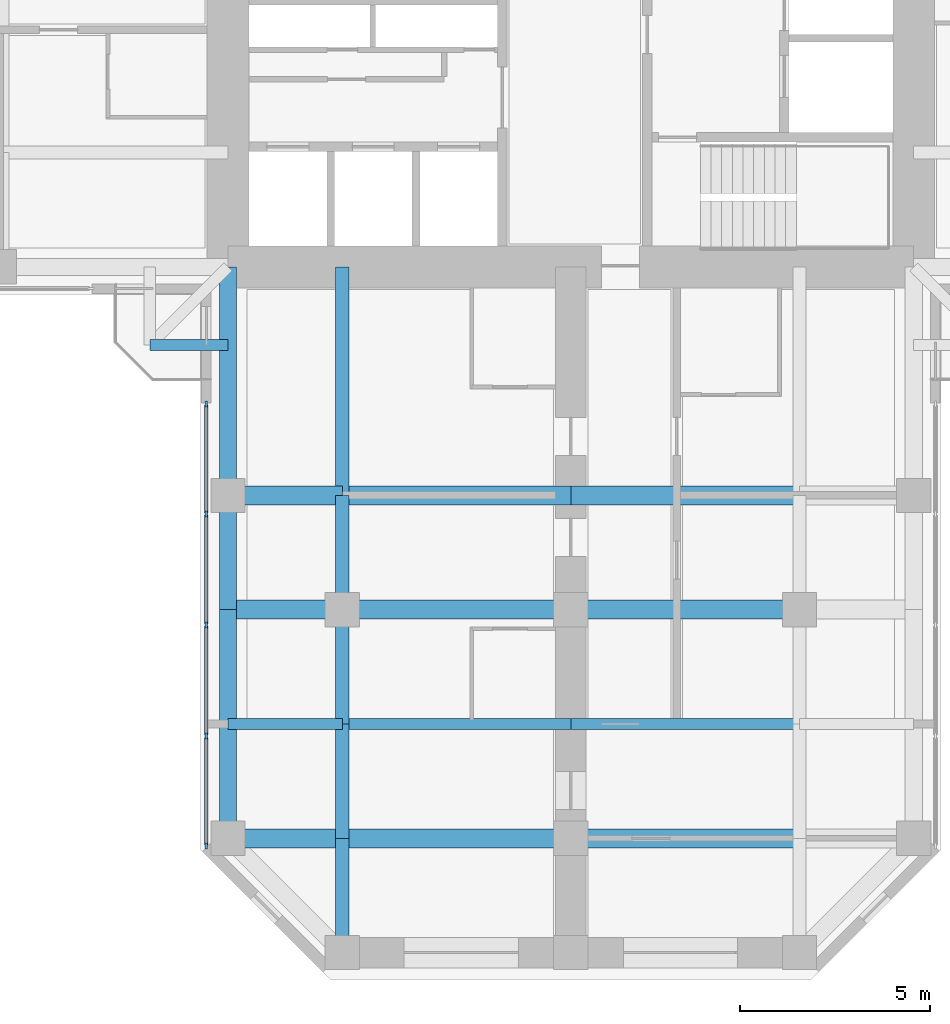
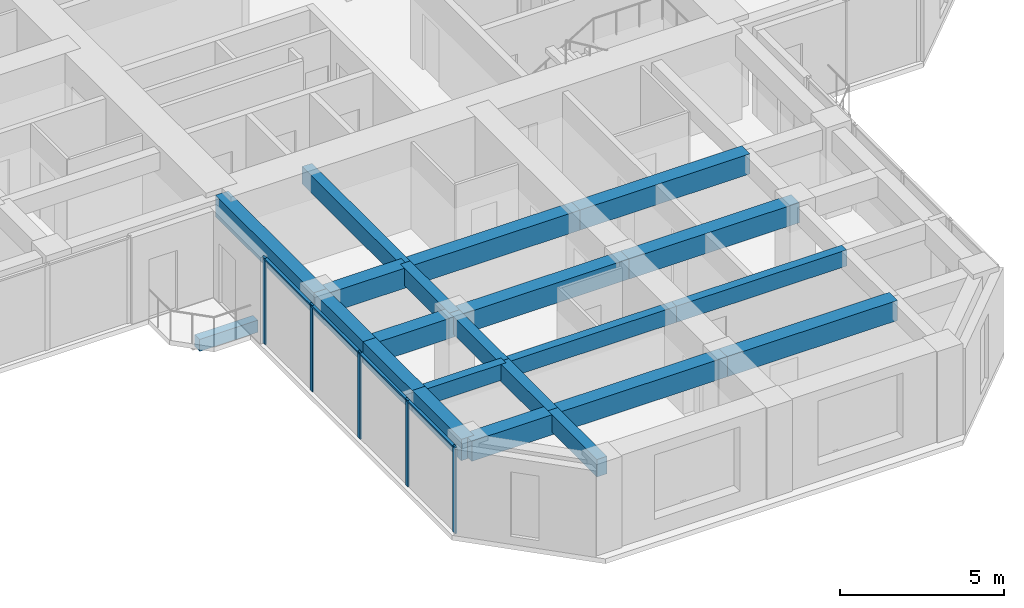
# One storey, part 2 of 13: 22 beams, 9 members, 1 element without a shape of its own.
"""IFC4 building model written with IfcOpenShell, lengths in metres."""

from ifc_helpers import new_model, si_unit, direction, frame, origin, origin_2d, place, context, subcontext, project, spatial, rectangle, extrude, material, material_profile, profile_set, type_object, element, aggregate, save


model = new_model("IFC4")

# Units and contexts
model_context = context("Model", 3, precision=1e-05, world=origin(), true_north=direction((0.0, 1.0)))
body_context = subcontext(model_context, "Body", "Model", "MODEL_VIEW")
ifc_project = project(units=[si_unit("LENGTHUNIT", "METRE"), si_unit("AREAUNIT", "SQUARE_METRE"), si_unit("VOLUMEUNIT", "CUBIC_METRE"), si_unit("PLANEANGLEUNIT", "RADIAN"), si_unit("MASSUNIT", "GRAM", prefix="KILO")], contexts=[model_context])

# Site, building, storey
site_placement = place(None, origin())
site = spatial("IfcSite", under=ifc_project, at=site_placement, CompositionType="ELEMENT")
building_placement = place(site_placement, origin())
building = spatial("IfcBuilding", under=site, at=building_placement, Name="Torre Cruceta", CompositionType="ELEMENT")
storey_placement = place(building_placement, frame((0.0, 0.0, 193.300048828125)))
storey = spatial("IfcBuildingStorey", under=building, at=storey_placement, Name="L48", CompositionType="ELEMENT", Elevation=193.300048828125)

# Beams
ifc_material_1 = material(Name="Concrete G60 (fck 60 MPa)", Category="concrete")
ifc_material_profile_1 = material_profile(ifc_material_1, rectangle(XDim=0.300048828125, YDim=0.449951171875, at=origin_2d()), Name="RC 300X450")
ifc_profile_set_1 = profile_set([ifc_material_profile_1], Name="Concrete G60 (fck 60 MPa)")
beam_type_1 = type_object("IfcBeamType", Name="BALCONY CANTILEVER BEAM RC 300X450", PredefinedType="BEAM", material=ifc_profile_set_1)
beam_1_placement = place(storey_placement, frame((-9.0, -11.050537109375, -0.405029296875), z_axis=(-1.0, 0.0, 0.0), x_axis=(0.0, -1.0, 0.0)))
element("IfcBeam", 1, at=beam_1_placement, inside=storey, type_object=beam_type_1, Name="BB1 balcony edge beam L48 W-Y", PredefinedType="BEAM", context=body_context, shape_type="SweptSolid", body=[
    extrude(rectangle(XDim=0.300048828125, YDim=0.449951171875, at=origin_2d()), origin(), (0.0, 0.0, 1.0), 2.050537109375),
])
ifc_material_2 = material(Name="Concrete G60 (fck 60 MPa)", Category="concrete")
ifc_material_profile_2 = material_profile(ifc_material_2, rectangle(XDim=0.35009765625, YDim=0.64990234375, at=origin_2d()), Name="RC 350X650")
ifc_profile_set_2 = profile_set([ifc_material_profile_2], Name="Concrete G60 (fck 60 MPa)")
beam_type_2 = type_object("IfcBeamType", Name="COLUMN LINE BEAM RC 350X650", PredefinedType="BEAM", material=ifc_profile_set_2)
beam_2_placement = place(storey_placement, frame((-6.0, -9.0, 2.89501953125), z_axis=(0.0, -1.0, 0.0), x_axis=(1.0, 0.0, 0.0)))
element("IfcBeam", 2, at=beam_2_placement, inside=storey, type_object=beam_type_2, Name="LB7 L48 S col- 1", PredefinedType="BEAM", context=body_context, shape_type="SweptSolid", body=[
    extrude(rectangle(XDim=0.35009765625, YDim=0.64990234375, at=origin_2d()), origin(), (0.0, 0.0, 1.0), 6.0),
])
for number, where, z_axis, x_axis, name in (
    (3, (-6.0, -15.0, 2.89501953125), (0.0, -1.0, 0.0), (1.0, 0.0, 0.0), "LB7 L48 S col- 2"),
    (4, (-6.0, -18.0, 2.89501953125), (0.0, -1.0, 0.0), (1.0, 0.0, 0.0), "LB7 L48 S col- 3"),
    (5, (-6.0, -21.0, 2.89501953125), (0.0, -1.0, 0.0), (1.0, 0.0, 0.0), "LB7 L48 S col- 4"),
    (6, (-6.0, -24.0, 2.89501953125), (0.0, -1.0, 0.0), (1.0, 0.0, 0.0), "LB7 L48 S col- 5"),
):
    element("IfcBeam", number, at=place(storey_placement, frame(where, z_axis=z_axis, x_axis=x_axis)), inside=storey, type_object=beam_type_2, Name=name, PredefinedType="BEAM", context=body_context, shape_type="SweptSolid", body=[
        extrude(rectangle(XDim=0.35009765625, YDim=0.64990234375, at=origin_2d()), origin(), (0.0, 0.0, 1.0), 3.0),
    ])
ifc_material_3 = material(Name="Concrete G60 (fck 60 MPa)", Category="concrete")
ifc_material_profile_3 = material_profile(ifc_material_3, rectangle(XDim=0.5, YDim=0.75, at=origin_2d()), Name="RC 500X750")
ifc_profile_set_3 = profile_set([ifc_material_profile_3], Name="Concrete G60 (fck 60 MPa)")
beam_type_3 = type_object("IfcBeamType", Name="CROSS BEAM RC 500X750", PredefinedType="BEAM", material=ifc_profile_set_3)
beam_3_placement = place(storey_placement, frame((-9.0, -15.0, 2.844970703125), z_axis=(1.0, 0.0, 0.0), x_axis=(0.0, 1.0, 0.0)))
element("IfcBeam", 7, at=beam_3_placement, inside=storey, type_object=beam_type_3, Name="GB6 L48 S cross15 1", PredefinedType="BEAM", context=body_context, shape_type="SweptSolid", body=[
    extrude(rectangle(XDim=0.5, YDim=0.75, at=origin_2d()), origin(), (0.0, 0.0, 1.0), 3.0),
])
for number, where, z_axis, x_axis, name in (
    (8, (-6.0, -15.0, 2.844970703125), (1.0, 0.0, 0.0), (0.0, 1.0, 0.0), "GB6 L48 S cross15 2"),
    (9, (0.0, -15.0, 2.844970703125), (1.0, 0.0, 0.0), (0.0, 1.0, 0.0), "GB6 L48 S cross15 3"),
):
    element("IfcBeam", number, at=place(storey_placement, frame(where, z_axis=z_axis, x_axis=x_axis)), inside=storey, type_object=beam_type_3, Name=name, PredefinedType="BEAM", context=body_context, shape_type="SweptSolid", body=[
        extrude(rectangle(XDim=0.5, YDim=0.75, at=origin_2d()), origin(), (0.0, 0.0, 1.0), 6.0),
    ])
beam_4_placement = place(storey_placement, frame((-9.0, -18.0, 2.844970703125), z_axis=(1.0, 0.0, 0.0), x_axis=(0.0, 1.0, 0.0)))
element("IfcBeam", 10, at=beam_4_placement, inside=storey, type_object=beam_type_3, Name="GB6 L48 S cross18 1", PredefinedType="BEAM", context=body_context, shape_type="SweptSolid", body=[
    extrude(rectangle(XDim=0.5, YDim=0.75, at=origin_2d()), origin(), (0.0, 0.0, 1.0), 3.0),
])
for number, where, z_axis, x_axis, name in (
    (11, (-6.0, -18.0, 2.844970703125), (1.0, 0.0, 0.0), (0.0, 1.0, 0.0), "GB6 L48 S cross18 2"),
    (12, (0.0, -18.0, 2.844970703125), (1.0, 0.0, 0.0), (0.0, 1.0, 0.0), "GB6 L48 S cross18 3"),
):
    element("IfcBeam", number, at=place(storey_placement, frame(where, z_axis=z_axis, x_axis=x_axis)), inside=storey, type_object=beam_type_3, Name=name, PredefinedType="BEAM", context=body_context, shape_type="SweptSolid", body=[
        extrude(rectangle(XDim=0.5, YDim=0.75, at=origin_2d()), origin(), (0.0, 0.0, 1.0), 6.0),
    ])
beam_5_placement = place(storey_placement, frame((-9.0, -24.0, 2.844970703125), z_axis=(1.0, 0.0, 0.0), x_axis=(0.0, 1.0, 0.0)))
element("IfcBeam", 13, at=beam_5_placement, inside=storey, type_object=beam_type_3, Name="GB6 L48 S cross24 1", PredefinedType="BEAM", context=body_context, shape_type="SweptSolid", body=[
    extrude(rectangle(XDim=0.5, YDim=0.75, at=origin_2d()), origin(), (0.0, 0.0, 1.0), 3.0),
])
for number, where, z_axis, x_axis, name in (
    (14, (-6.0, -24.0, 2.844970703125), (1.0, 0.0, 0.0), (0.0, 1.0, 0.0), "GB6 L48 S cross24 2"),
    (15, (0.0, -24.0, 2.844970703125), (1.0, 0.0, 0.0), (0.0, 1.0, 0.0), "GB6 L48 S cross24 3"),
):
    element("IfcBeam", number, at=place(storey_placement, frame(where, z_axis=z_axis, x_axis=x_axis)), inside=storey, type_object=beam_type_3, Name=name, PredefinedType="BEAM", context=body_context, shape_type="SweptSolid", body=[
        extrude(rectangle(XDim=0.5, YDim=0.75, at=origin_2d()), origin(), (0.0, 0.0, 1.0), 6.0),
    ])

# Curtain wall, members
ifc_material_4 = material(Name="Aluminium unitised curtain wall", Category="aluminium")
curtain_wall_type = type_object("IfcCurtainWallType", Name="CURTAIN WALL CW-C CO-LIVING", PredefinedType="USERDEFINED", material=ifc_material_4)
curtain_wall_placement = place(storey_placement, origin())
curtain_wall = element("IfcCurtainWall", 16, at=curtain_wall_placement, inside=storey, type_object=curtain_wall_type, Name="CW-C L48 S side 15", ObjectType="UNITISED", PredefinedType="USERDEFINED")
ifc_material_5 = material(Name="Aluminium mullion", Category="aluminium")
ifc_material_profile_4 = material_profile(ifc_material_5, rectangle(XDim=0.06005859375, YDim=0.159912109375, at=origin_2d()), Name="AL 60X160")
ifc_profile_set_4 = profile_set([ifc_material_profile_4], Name="Aluminium mullion")
member_type_1 = type_object("IfcMemberType", Name="CW-C MULLION 60X160", PredefinedType="MULLION", material=ifc_profile_set_4)
member_1_placement = place(storey_placement, frame((-9.570068359375, -12.60009765625, 0.0), z_axis=(0.0, 0.0, 1.0), x_axis=(1.0, 0.0, 0.0)))
member_1 = element("IfcMember", 17, at=member_1_placement, type_object=member_type_1, Name="CW-C mullion 1", PredefinedType="MULLION", context=body_context, shape_type="SweptSolid", body=[
    extrude(rectangle(XDim=0.06005859375, YDim=0.159912109375, at=origin_2d()), origin(), (0.0, 0.0, 1.0), 3.219970703125),
])
member_2_placement = place(storey_placement, frame((-9.570068359375, -15.486572265625, 0.0), z_axis=(0.0, 0.0, 1.0), x_axis=(1.0, 0.0, 0.0)))
member_2 = element("IfcMember", 18, at=member_2_placement, type_object=member_type_1, Name="CW-C mullion 2", PredefinedType="MULLION", context=body_context, shape_type="SweptSolid", body=[
    extrude(rectangle(XDim=0.06005859375, YDim=0.159912109375, at=origin_2d()), origin(), (0.0, 0.0, 1.0), 3.219970703125),
])
member_3_placement = place(storey_placement, frame((-9.570068359375, -18.403076171875, 0.0), z_axis=(0.0, 0.0, 1.0), x_axis=(1.0, 0.0, 0.0)))
member_3 = element("IfcMember", 19, at=member_3_placement, type_object=member_type_1, Name="CW-C mullion 3", PredefinedType="MULLION", context=body_context, shape_type="SweptSolid", body=[
    extrude(rectangle(XDim=0.06005859375, YDim=0.159912109375, at=origin_2d()), origin(), (0.0, 0.0, 1.0), 3.219970703125),
])
member_4_placement = place(storey_placement, frame((-9.570068359375, -21.319580078125, 0.0), z_axis=(0.0, 0.0, 1.0), x_axis=(1.0, 0.0, 0.0)))
member_4 = element("IfcMember", 20, at=member_4_placement, type_object=member_type_1, Name="CW-C mullion 4", PredefinedType="MULLION", context=body_context, shape_type="SweptSolid", body=[
    extrude(rectangle(XDim=0.06005859375, YDim=0.159912109375, at=origin_2d()), origin(), (0.0, 0.0, 1.0), 3.219970703125),
])
member_5_placement = place(storey_placement, frame((-9.570068359375, -24.2060546875, 0.0), z_axis=(0.0, 0.0, 1.0), x_axis=(1.0, 0.0, 0.0)))
member_5 = element("IfcMember", 21, at=member_5_placement, type_object=member_type_1, Name="CW-C mullion 5", PredefinedType="MULLION", context=body_context, shape_type="SweptSolid", body=[
    extrude(rectangle(XDim=0.06005859375, YDim=0.159912109375, at=origin_2d()), origin(), (0.0, 0.0, 1.0), 3.219970703125),
])
ifc_material_6 = material(Name="Aluminium transom", Category="aluminium")
ifc_material_profile_5 = material_profile(ifc_material_6, rectangle(XDim=0.10009765625, YDim=0.06005859375, at=origin_2d()), Name="AL 100X60")
ifc_profile_set_5 = profile_set([ifc_material_profile_5], Name="Aluminium transom")
member_type_2 = type_object("IfcMemberType", Name="CW-C TRANSOM 60X100", PredefinedType="USERDEFINED", material=ifc_profile_set_5)
member_6_placement = place(storey_placement, frame((-9.570068359375, -12.6298828125, 3.18994140625), z_axis=(0.0, -1.0, 0.0), x_axis=(1.0, 0.0, 0.0)))
member_6 = element("IfcMember", 22, at=member_6_placement, type_object=member_type_2, Name="CW-C transom 1", ObjectType="TRANSOM", PredefinedType="USERDEFINED", context=body_context, shape_type="SweptSolid", body=[
    extrude(rectangle(XDim=0.10009765625, YDim=0.06005859375, at=origin_2d()), origin(), (0.0, 0.0, 1.0), 2.82666015625),
])
member_7_placement = place(storey_placement, frame((-9.570068359375, -15.5166015625, 3.18994140625), z_axis=(0.0, -1.0, 0.0), x_axis=(1.0, 0.0, 0.0)))
member_7 = element("IfcMember", 23, at=member_7_placement, type_object=member_type_2, Name="CW-C transom 2", ObjectType="TRANSOM", PredefinedType="USERDEFINED", context=body_context, shape_type="SweptSolid", body=[
    extrude(rectangle(XDim=0.10009765625, YDim=0.06005859375, at=origin_2d()), origin(), (0.0, 0.0, 1.0), 2.8564453125),
])
member_8_placement = place(storey_placement, frame((-9.570068359375, -18.43310546875, 3.18994140625), z_axis=(0.0, -1.0, 0.0), x_axis=(1.0, 0.0, 0.0)))
member_8 = element("IfcMember", 24, at=member_8_placement, type_object=member_type_2, Name="CW-C transom 3", ObjectType="TRANSOM", PredefinedType="USERDEFINED", context=body_context, shape_type="SweptSolid", body=[
    extrude(rectangle(XDim=0.10009765625, YDim=0.06005859375, at=origin_2d()), origin(), (0.0, 0.0, 1.0), 2.8564453125),
])
member_9_placement = place(storey_placement, frame((-9.570068359375, -21.349609375, 3.18994140625), z_axis=(0.0, -1.0, 0.0), x_axis=(1.0, 0.0, 0.0)))
member_9 = element("IfcMember", 25, at=member_9_placement, type_object=member_type_2, Name="CW-C transom 4", ObjectType="TRANSOM", PredefinedType="USERDEFINED", context=body_context, shape_type="SweptSolid", body=[
    extrude(rectangle(XDim=0.10009765625, YDim=0.06005859375, at=origin_2d()), origin(), (0.0, 0.0, 1.0), 2.826416015625),
])
aggregate(curtain_wall, [member_1, member_2, member_3, member_4, member_5, member_6, member_7, member_8, member_9])

# Beams
ifc_material_7 = material(Name="Concrete G60 (fck 60 MPa)", Category="concrete")
ifc_material_profile_6 = material_profile(ifc_material_7, rectangle(XDim=0.300048828125, YDim=0.60009765625, at=origin_2d()), Name="RC 300X600")
ifc_profile_set_6 = profile_set([ifc_material_profile_6], Name="Concrete G60 (fck 60 MPa)")
beam_type_4 = type_object("IfcBeamType", Name="SECONDARY BEAM RC 300X600", PredefinedType="JOIST", material=ifc_profile_set_6)
beam_6_placement = place(storey_placement, frame((-9.0, -21.0, 2.919921875), z_axis=(1.0, 0.0, 0.0), x_axis=(0.0, 1.0, 0.0)))
element("IfcBeam", 26, at=beam_6_placement, inside=storey, type_object=beam_type_4, Name="JB6 L48 S sec21 1", PredefinedType="JOIST", context=body_context, shape_type="SweptSolid", body=[
    extrude(rectangle(XDim=0.300048828125, YDim=0.60009765625, at=origin_2d()), origin(), (0.0, 0.0, 1.0), 3.0),
])
for number, where, z_axis, x_axis, name in (
    (27, (-6.0, -21.0, 2.919921875), (1.0, 0.0, 0.0), (0.0, 1.0, 0.0), "JB6 L48 S sec21 2"),
    (28, (0.0, -21.0, 2.919921875), (1.0, 0.0, 0.0), (0.0, 1.0, 0.0), "JB6 L48 S sec21 3"),
):
    element("IfcBeam", number, at=place(storey_placement, frame(where, z_axis=z_axis, x_axis=x_axis)), inside=storey, type_object=beam_type_4, Name=name, PredefinedType="JOIST", context=body_context, shape_type="SweptSolid", body=[
        extrude(rectangle(XDim=0.300048828125, YDim=0.60009765625, at=origin_2d()), origin(), (0.0, 0.0, 1.0), 6.0),
    ])
ifc_material_8 = material(Name="Concrete G60 (fck 60 MPa)", Category="concrete")
ifc_material_profile_7 = material_profile(ifc_material_8, rectangle(XDim=0.449951171875, YDim=0.800048828125, at=origin_2d()), Name="RC 450X800")
ifc_profile_set_7 = profile_set([ifc_material_profile_7], Name="Concrete G60 (fck 60 MPa)")
beam_type_5 = type_object("IfcBeamType", Name="SPANDREL BEAM RC 450X800", PredefinedType="SPANDREL", material=ifc_profile_set_7)
beam_7_placement = place(storey_placement, frame((-9.0, -9.0, 2.820068359375), z_axis=(0.0, -1.0, 0.0), x_axis=(1.0, 0.0, 0.0)))
element("IfcBeam", 29, at=beam_7_placement, inside=storey, type_object=beam_type_5, Name="SB6 L48 S side- 1", PredefinedType="SPANDREL", context=body_context, shape_type="SweptSolid", body=[
    extrude(rectangle(XDim=0.449951171875, YDim=0.800048828125, at=origin_2d()), origin(), (0.0, 0.0, 1.0), 6.0),
])
for number, where, z_axis, x_axis, name in (
    (30, (-9.0, -15.0, 2.820068359375), (0.0, -1.0, 0.0), (1.0, 0.0, 0.0), "SB6 L48 S side- 2"),
    (31, (-9.0, -18.0, 2.820068359375), (0.0, -1.0, 0.0), (1.0, 0.0, 0.0), "SB6 L48 S side- 3"),
    (32, (-9.0, -21.0, 2.820068359375), (0.0, -1.0, 0.0), (1.0, 0.0, 0.0), "SB6 L48 S side- 4"),
):
    element("IfcBeam", number, at=place(storey_placement, frame(where, z_axis=z_axis, x_axis=x_axis)), inside=storey, type_object=beam_type_5, Name=name, PredefinedType="SPANDREL", context=body_context, shape_type="SweptSolid", body=[
        extrude(rectangle(XDim=0.449951171875, YDim=0.800048828125, at=origin_2d()), origin(), (0.0, 0.0, 1.0), 3.0),
    ])

save(model, "model.ifc")
